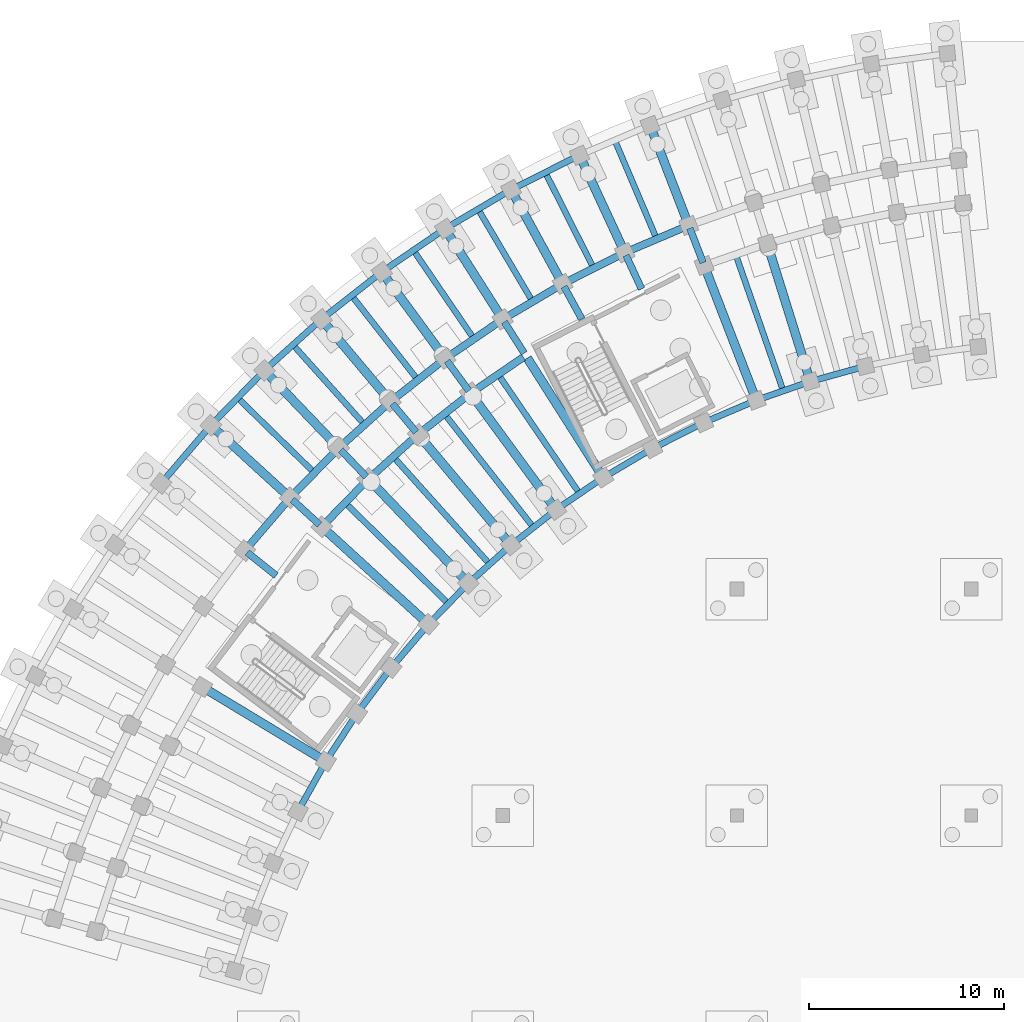
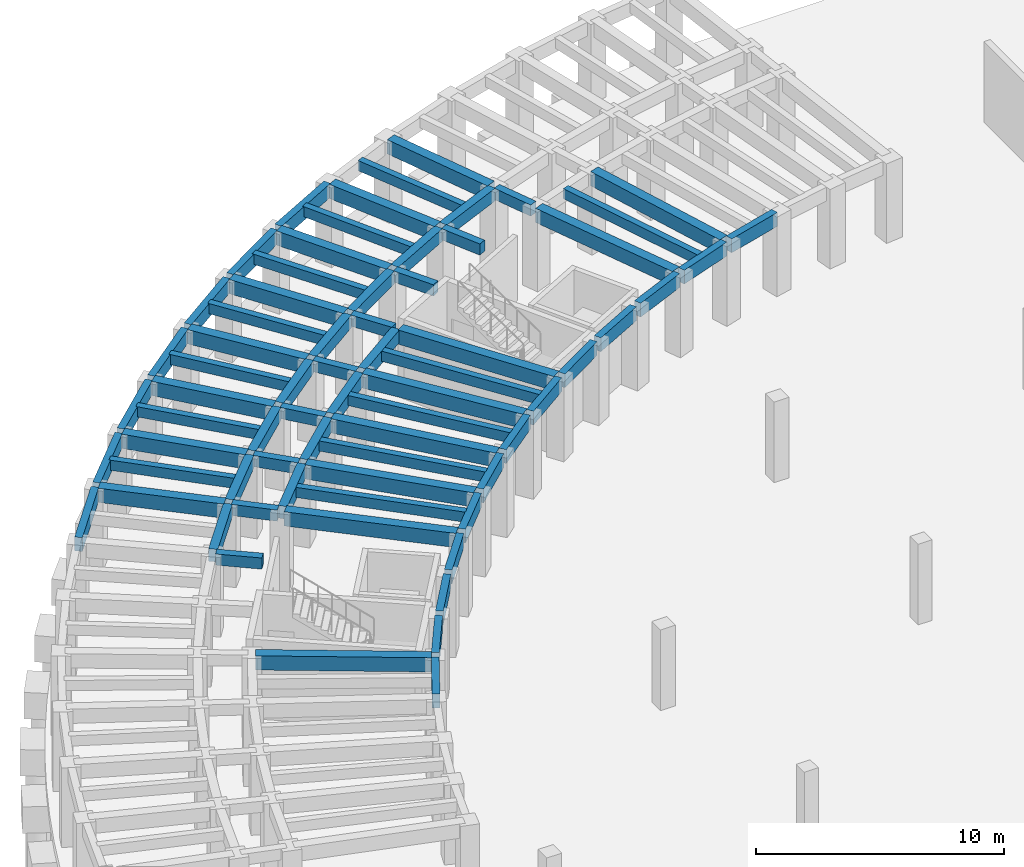
# One storey, part 12 of 29: 69 beams.
"""IFC4 building model written with IfcOpenShell, lengths in metres."""

from ifc_helpers import new_model, si_unit, direction, frame, origin, origin_2d, place, context, subcontext, project, spatial, rectangle, extrude, material, material_profile, profile_set, type_object, element, save


model = new_model("IFC4")

# Units and contexts
model_context = context("Model", 3, precision=1e-05, world=origin(), true_north=direction((0.0, 1.0)))
body_context = subcontext(model_context, "Body", "Model", "MODEL_VIEW")
ifc_project = project(units=[si_unit("LENGTHUNIT", "METRE"), si_unit("AREAUNIT", "SQUARE_METRE"), si_unit("VOLUMEUNIT", "CUBIC_METRE"), si_unit("PLANEANGLEUNIT", "RADIAN"), si_unit("MASSUNIT", "GRAM", prefix="KILO")], contexts=[model_context])

# Site, building, storey
site_placement = place(None, origin())
site = spatial("IfcSite", under=ifc_project, at=site_placement, CompositionType="ELEMENT")
building_placement = place(site_placement, origin())
building = spatial("IfcBuilding", under=site, at=building_placement, Name="Tanwirah Colonnade Gardens", CompositionType="ELEMENT")
storey_placement = place(building_placement, frame((0.0, 0.0, -4.199951171875)))
storey = spatial("IfcBuildingStorey", under=building, at=storey_placement, Name="B1", CompositionType="ELEMENT", Elevation=-4.199951171875)

# Beams
ifc_material_1 = material(Name="Precast concrete C40/50", Category="concrete")
ifc_material_profile_1 = material_profile(ifc_material_1, rectangle(XDim=0.35009765625, YDim=0.550048828125, at=origin_2d()), Name="PC-BM 350x550")
ifc_profile_set_1 = profile_set([ifc_material_profile_1], Name="Precast concrete C40/50")
beam_type_1 = type_object("IfcBeamType", Name="BM-PC350A", PredefinedType="BEAM", material=ifc_profile_set_1)
for number, where, z_axis, x_axis, name in (
    (1, (46.270751953125, 108.7099609375, 3.64501953125), (-0.360175656082, 0.932884503444, 0.0), (-0.932884503444, -0.360175656082, 0.0), "Block A B1 Corridor Tie Beam 4"),
    (2, (43.115234375, 107.37060546875, 3.64501953125), (-0.420858322681, 0.90712638162, 0.0), (-0.90712638162, -0.420858322681, 0.0), "Block A B1 Corridor Tie Beam 5"),
    (3, (40.054931640625, 105.826171875, 3.64501953125), (-0.479707235792, 0.877428611301, 0.0), (-0.877428611301, -0.479707235792, 0.0), "Block A B1 Corridor Tie Beam 6"),
    (4, (37.10302734375, 104.08349609375, 3.64501953125), (-0.536509579595, 0.843894229749, 0.0), (-0.843894229749, -0.536509579595, 0.0), "Block A B1 Corridor Tie Beam 7"),
):
    element("IfcBeam", number, at=place(storey_placement, frame(where, z_axis=z_axis, x_axis=x_axis)), inside=storey, type_object=beam_type_1, Name=name, PredefinedType="BEAM", context=body_context, shape_type="SweptSolid", body=[
        extrude(rectangle(XDim=0.35009765625, YDim=0.550048828125, at=origin_2d()), origin(), (0.0, 0.0, 1.0), 1.89990234375),
    ])
beam_1_placement = place(storey_placement, frame((34.272216796875, 102.14990234375, 3.64501953125), z_axis=(-0.590895676149, 0.806747977939, 0.0), x_axis=(-0.806747977939, -0.590895676149, 0.0)))
element("IfcBeam", 5, at=beam_1_placement, inside=storey, type_object=beam_type_1, Name="Block A B1 Corridor Tie Beam 8", PredefinedType="BEAM", context=body_context, shape_type="SweptSolid", body=[
    extrude(rectangle(XDim=0.35009765625, YDim=0.550048828125, at=origin_2d()), origin(), (0.0, 0.0, 1.0), 1.900146484375),
])
beam_2_placement = place(storey_placement, frame((31.574951171875, 100.034423828125, 3.64501953125), z_axis=(-0.642797194343, 0.766036400535, 0.0), x_axis=(-0.766036400535, -0.642797194343, 0.0)))
element("IfcBeam", 6, at=beam_2_placement, inside=storey, type_object=beam_type_1, Name="Block A B1 Corridor Tie Beam 9", PredefinedType="BEAM", context=body_context, shape_type="SweptSolid", body=[
    extrude(rectangle(XDim=0.35009765625, YDim=0.550048828125, at=origin_2d()), origin(), (0.0, 0.0, 1.0), 1.89990234375),
])
beam_3_placement = place(storey_placement, frame((29.023193359375, 97.74560546875, 3.64501953125), z_axis=(-0.691913735329, 0.721980181766, 0.0), x_axis=(-0.721980181766, -0.691913735329, 0.0)))
element("IfcBeam", 7, at=beam_3_placement, inside=storey, type_object=beam_type_1, Name="Block A B1 Corridor Tie Beam 10", PredefinedType="BEAM", context=body_context, shape_type="SweptSolid", body=[
    extrude(rectangle(XDim=0.35009765625, YDim=0.550048828125, at=origin_2d()), origin(), (0.0, 0.0, 1.0), 1.900146484375),
])
for number, where, z_axis, x_axis, name in (
    (8, (26.62744140625, 95.29345703125, 3.64501953125), (-0.737948361517, 0.674857181732, 0.0), (-0.674857181732, -0.737948361517, 0.0), "Block A B1 Corridor Tie Beam 11"),
    (9, (24.398681640625, 92.68896484375, 3.64501953125), (-0.78073089418, 0.624867402633, 0.0), (-0.624867402633, -0.78073089418, 0.0), "Block A B1 Corridor Tie Beam 12"),
):
    element("IfcBeam", number, at=place(storey_placement, frame(where, z_axis=z_axis, x_axis=x_axis)), inside=storey, type_object=beam_type_1, Name=name, PredefinedType="BEAM", context=body_context, shape_type="SweptSolid", body=[
        extrude(rectangle(XDim=0.35009765625, YDim=0.550048828125, at=origin_2d()), origin(), (0.0, 0.0, 1.0), 1.89990234375),
    ])
ifc_material_profile_2 = material_profile(ifc_material_1, rectangle(XDim=0.3798828125, YDim=0.6201171875, at=origin_2d()), Name="PC-BM 380x620")
ifc_profile_set_2 = profile_set([ifc_material_profile_2], Name="Precast concrete C40/50")
beam_type_2 = type_object("IfcBeamType", Name="BM-PC380", PredefinedType="BEAM", material=ifc_profile_set_2)
beam_4_placement = place(storey_placement, frame((45.394287109375, 110.563720703125, 3.60986328125), z_axis=(-0.920513294115, -0.390711242938, 0.0), x_axis=(0.390711242938, -0.920513294115, 0.0)))
element("IfcBeam", 10, at=beam_4_placement, inside=storey, type_object=beam_type_2, Name="Block A B1 Circumferential Beam 4-R2", PredefinedType="BEAM", context=body_context, shape_type="SweptSolid", body=[
    extrude(rectangle(XDim=0.3798828125, YDim=0.6201171875, at=origin_2d()), origin(), (0.0, 0.0, 1.0), 3.262939453125),
])
for number, where, z_axis, x_axis, name in (
    (11, (42.11865234375, 109.16259765625, 3.60986328125), (-0.89276014323, -0.450532270387, 0.0), (0.450532270387, -0.89276014323, 0.0), "Block A B1 Circumferential Beam 5-R2"),
    (12, (38.9423828125, 107.548583984375, 3.60986328125), (-0.861134978964, -0.508376384193, 0.0), (0.508376384193, -0.861134978964, 0.0), "Block A B1 Circumferential Beam 6-R2"),
):
    element("IfcBeam", number, at=place(storey_placement, frame(where, z_axis=z_axis, x_axis=x_axis)), inside=storey, type_object=beam_type_2, Name=name, PredefinedType="BEAM", context=body_context, shape_type="SweptSolid", body=[
        extrude(rectangle(XDim=0.3798828125, YDim=0.6201171875, at=origin_2d()), origin(), (0.0, 0.0, 1.0), 3.26318359375),
    ])
beam_5_placement = place(storey_placement, frame((37.0595703125, 103.872314453125, 3.60986328125), z_axis=(-0.825758291455, -0.564024152047, 0.0), x_axis=(0.564024152047, -0.825758291455, 0.0)))
element("IfcBeam", 13, at=beam_5_placement, inside=storey, type_object=beam_type_2, Name="Block A B1 Circumferential Beam 7-R1", PredefinedType="BEAM", context=body_context, shape_type="SweptSolid", body=[
    extrude(rectangle(XDim=0.3798828125, YDim=0.6201171875, at=origin_2d()), origin(), (0.0, 0.0, 1.0), 3.118408203125),
])
beam_6_placement = place(storey_placement, frame((35.87939453125, 105.728759765625, 3.60986328125), z_axis=(-0.825782284145, -0.563989024, 0.0), x_axis=(0.563989024, -0.825782284145, 0.0)))
element("IfcBeam", 14, at=beam_6_placement, inside=storey, type_object=beam_type_2, Name="Block A B1 Circumferential Beam 7-R2", PredefinedType="BEAM", context=body_context, shape_type="SweptSolid", body=[
    extrude(rectangle(XDim=0.3798828125, YDim=0.6201171875, at=origin_2d()), origin(), (0.0, 0.0, 1.0), 3.26318359375),
])
beam_7_placement = place(storey_placement, frame((34.242919921875, 101.9365234375, 3.60986328125), z_axis=(-0.78679899272, -0.617209320292, 0.0), x_axis=(0.617209320292, -0.78679899272, 0.0)))
element("IfcBeam", 15, at=beam_7_placement, inside=storey, type_object=beam_type_2, Name="Block A B1 Circumferential Beam 8-R1", PredefinedType="BEAM", context=body_context, shape_type="SweptSolid", body=[
    extrude(rectangle(XDim=0.3798828125, YDim=0.6201171875, at=origin_2d()), origin(), (0.0, 0.0, 1.0), 3.1181640625),
])
beam_8_placement = place(storey_placement, frame((32.94287109375, 103.711181640625, 3.60986328125), z_axis=(-0.786839882256, -0.617157192044, 0.0), x_axis=(0.617157192044, -0.786839882256, 0.0)))
element("IfcBeam", 16, at=beam_8_placement, inside=storey, type_object=beam_type_2, Name="Block A B1 Circumferential Beam 8-R2", PredefinedType="BEAM", context=body_context, shape_type="SweptSolid", body=[
    extrude(rectangle(XDim=0.3798828125, YDim=0.6201171875, at=origin_2d()), origin(), (0.0, 0.0, 1.0), 3.26318359375),
])
beam_9_placement = place(storey_placement, frame((31.559814453125, 99.8193359375, 3.60986328125), z_axis=(-0.744429866059, -0.667700662363, 0.0), x_axis=(0.667700662363, -0.744429866059, 0.0)))
element("IfcBeam", 17, at=beam_9_placement, inside=storey, type_object=beam_type_2, Name="Block A B1 Circumferential Beam 9-R1", PredefinedType="BEAM", context=body_context, shape_type="SweptSolid", body=[
    extrude(rectangle(XDim=0.3798828125, YDim=0.6201171875, at=origin_2d()), origin(), (0.0, 0.0, 1.0), 3.1181640625),
])
beam_10_placement = place(storey_placement, frame((30.145751953125, 101.504638671875, 3.60986328125), z_axis=(-0.744409136578, -0.667723773262, 0.0), x_axis=(0.667723773262, -0.744409136578, 0.0)))
element("IfcBeam", 18, at=beam_10_placement, inside=storey, type_object=beam_type_2, Name="Block A B1 Circumferential Beam 9-R2", PredefinedType="BEAM", context=body_context, shape_type="SweptSolid", body=[
    extrude(rectangle(XDim=0.3798828125, YDim=0.6201171875, at=origin_2d()), origin(), (0.0, 0.0, 1.0), 3.26318359375),
])
beam_11_placement = place(storey_placement, frame((29.02197265625, 97.52978515625, 3.60986328125), z_axis=(-0.698837366631, -0.715280598787, 0.0), x_axis=(0.715280598787, -0.698837366631, 0.0)))
element("IfcBeam", 19, at=beam_11_placement, inside=storey, type_object=beam_type_2, Name="Block A B1 Circumferential Beam 10-R1", PredefinedType="BEAM", context=body_context, shape_type="SweptSolid", body=[
    extrude(rectangle(XDim=0.3798828125, YDim=0.6201171875, at=origin_2d()), origin(), (0.0, 0.0, 1.0), 3.117919921875),
])
beam_12_placement = place(storey_placement, frame((27.5, 99.118408203125, 3.60986328125), z_axis=(-0.698829447339, -0.71528833594, 0.0), x_axis=(0.71528833594, -0.698829447339, 0.0)))
element("IfcBeam", 20, at=beam_12_placement, inside=storey, type_object=beam_type_2, Name="Block A B1 Circumferential Beam 10-R2", PredefinedType="BEAM", context=body_context, shape_type="SweptSolid", body=[
    extrude(rectangle(XDim=0.3798828125, YDim=0.6201171875, at=origin_2d()), origin(), (0.0, 0.0, 1.0), 3.263427734375),
])
beam_13_placement = place(storey_placement, frame((25.017333984375, 96.56298828125, 3.60986328125), z_axis=(-0.650218192342, -0.759747525398, 0.0), x_axis=(0.759747525398, -0.650218192342, 0.0)))
element("IfcBeam", 21, at=beam_13_placement, inside=storey, type_object=beam_type_2, Name="Block A B1 Circumferential Beam 11-R2", PredefinedType="BEAM", context=body_context, shape_type="SweptSolid", body=[
    extrude(rectangle(XDim=0.3798828125, YDim=0.6201171875, at=origin_2d()), origin(), (0.0, 0.0, 1.0), 3.26318359375),
])
ifc_material_2 = material(Name="Precast concrete C45/55", Category="concrete")
ifc_material_profile_3 = material_profile(ifc_material_2, rectangle(XDim=0.449951171875, YDim=0.699951171875, at=origin_2d()), Name="PC-BM 450x700")
ifc_profile_set_3 = profile_set([ifc_material_profile_3], Name="Precast concrete C45/55")
beam_type_3 = type_object("IfcBeamType", Name="BM-PC450", PredefinedType="BEAM", material=ifc_profile_set_3)
for number, where, z_axis, x_axis, name in (
    (22, (49.596923828125, 109.55224609375, 3.570068359375), (0.297951921971, -0.954580877765, 0.0), (0.954580877765, 0.297951921971, 0.0), "Block A B1 Inner Radial Precast Girder 3"),
    (23, (46.37890625, 108.43017578125, 3.570068359375), (0.360158550024, -0.93289110771, 0.0), (0.93289110771, 0.360158550024, 0.0), "Block A B1 Inner Radial Precast Girder 4"),
):
    element("IfcBeam", number, at=place(storey_placement, frame(where, z_axis=z_axis, x_axis=x_axis)), inside=storey, type_object=beam_type_3, Name=name, PredefinedType="BEAM", context=body_context, shape_type="SweptSolid", body=[
        extrude(rectangle(XDim=0.449951171875, YDim=0.699951171875, at=origin_2d()), origin(), (0.0, 0.0, 1.0), 7.10009765625),
    ])
for number, where, z_axis, x_axis, name in (
    (24, (45.478271484375, 110.76220703125, 3.570068359375), (-0.360152299809, 0.932893520688, 0.0), (-0.932893520688, -0.360152299809, 0.0), "Block A B1 Outer Radial Precast Girder 4"),
    (25, (42.189453125, 109.3662109375, 3.570068359375), (-0.420861611985, 0.907124855551, 0.0), (-0.907124855551, -0.420861611985, 0.0), "Block A B1 Outer Radial Precast Girder 5"),
    (26, (38.99951171875, 107.75634765625, 3.570068359375), (-0.479684149655, 0.877441232545, 0.0), (-0.877441232545, -0.479684149655, 0.0), "Block A B1 Outer Radial Precast Girder 6"),
):
    element("IfcBeam", number, at=place(storey_placement, frame(where, z_axis=z_axis, x_axis=x_axis)), inside=storey, type_object=beam_type_3, Name=name, PredefinedType="BEAM", context=body_context, shape_type="SweptSolid", body=[
        extrude(rectangle(XDim=0.449951171875, YDim=0.699951171875, at=origin_2d()), origin(), (0.0, 0.0, 1.0), 5.199951171875),
    ])
beam_14_placement = place(storey_placement, frame((37.263916015625, 103.830322265625, 3.570068359375), z_axis=(0.536477171385, -0.843914832541, 0.0), x_axis=(0.843914832541, 0.536477171385, 0.0)))
element("IfcBeam", 27, at=beam_14_placement, inside=storey, type_object=beam_type_3, Name="Block A B1 Inner Radial Precast Girder 7", PredefinedType="BEAM", context=body_context, shape_type="SweptSolid", body=[
    extrude(rectangle(XDim=0.449951171875, YDim=0.699951171875, at=origin_2d()), origin(), (0.0, 0.0, 1.0), 7.10009765625),
])
beam_15_placement = place(storey_placement, frame((35.922607421875, 105.93994140625, 3.570068359375), z_axis=(-0.536453149191, 0.843930102985, 0.0), x_axis=(-0.843930102985, -0.536453149191, 0.0)))
element("IfcBeam", 28, at=beam_15_placement, inside=storey, type_object=beam_type_3, Name="Block A B1 Outer Radial Precast Girder 7", PredefinedType="BEAM", context=body_context, shape_type="SweptSolid", body=[
    extrude(rectangle(XDim=0.449951171875, YDim=0.699951171875, at=origin_2d()), origin(), (0.0, 0.0, 1.0), 5.199951171875),
])
beam_16_placement = place(storey_placement, frame((34.449462890625, 101.907958984375, 3.570068359375), z_axis=(0.590922322036, -0.80672846071, 0.0), x_axis=(0.80672846071, 0.590922322036, 0.0)))
element("IfcBeam", 29, at=beam_16_placement, inside=storey, type_object=beam_type_3, Name="Block A B1 Inner Radial Precast Girder 8", PredefinedType="BEAM", context=body_context, shape_type="SweptSolid", body=[
    extrude(rectangle(XDim=0.449951171875, YDim=0.699951171875, at=origin_2d()), origin(), (0.0, 0.0, 1.0), 7.10009765625),
])
beam_17_placement = place(storey_placement, frame((32.97216796875, 103.9248046875, 3.570068359375), z_axis=(-0.590909677043, 0.806737722917, 0.0), x_axis=(-0.806737722917, -0.590909677043, 0.0)))
element("IfcBeam", 30, at=beam_17_placement, inside=storey, type_object=beam_type_3, Name="Block A B1 Outer Radial Precast Girder 8", PredefinedType="BEAM", context=body_context, shape_type="SweptSolid", body=[
    extrude(rectangle(XDim=0.449951171875, YDim=0.699951171875, at=origin_2d()), origin(), (0.0, 0.0, 1.0), 5.199951171875),
])
beam_18_placement = place(storey_placement, frame((31.767822265625, 99.804443359375, 3.570068359375), z_axis=(0.642798473853, -0.76603532687, 0.0), x_axis=(0.76603532687, 0.642798473853, 0.0)))
element("IfcBeam", 31, at=beam_18_placement, inside=storey, type_object=beam_type_3, Name="Block A B1 Inner Radial Precast Girder 9", PredefinedType="BEAM", context=body_context, shape_type="SweptSolid", body=[
    extrude(rectangle(XDim=0.449951171875, YDim=0.699951171875, at=origin_2d()), origin(), (0.0, 0.0, 1.0), 7.10009765625),
])
beam_19_placement = place(storey_placement, frame((30.160888671875, 101.7197265625, 3.570068359375), z_axis=(-0.642794509039, 0.766038653822, 0.0), x_axis=(-0.766038653822, -0.642794509039, 0.0)))
element("IfcBeam", 32, at=beam_19_placement, inside=storey, type_object=beam_type_3, Name="Block A B1 Outer Radial Precast Girder 9", PredefinedType="BEAM", context=body_context, shape_type="SweptSolid", body=[
    extrude(rectangle(XDim=0.449951171875, YDim=0.699951171875, at=origin_2d()), origin(), (0.0, 0.0, 1.0), 5.199951171875),
])
beam_20_placement = place(storey_placement, frame((29.230712890625, 97.52880859375, 3.570068359375), z_axis=(0.691867272012, -0.722024707278, 0.0), x_axis=(0.722024707278, 0.691867272012, 0.0)))
element("IfcBeam", 33, at=beam_20_placement, inside=storey, type_object=beam_type_3, Name="Block A B1 Inner Radial Precast Girder 10", PredefinedType="BEAM", context=body_context, shape_type="SweptSolid", body=[
    extrude(rectangle(XDim=0.449951171875, YDim=0.699951171875, at=origin_2d()), origin(), (0.0, 0.0, 1.0), 7.099853515625),
])
beam_21_placement = place(storey_placement, frame((27.5009765625, 99.333984375, 3.570068359375), z_axis=(-0.691874769894, 0.722017522491, 0.0), x_axis=(-0.722017522491, -0.691874769894, 0.0)))
element("IfcBeam", 34, at=beam_21_placement, inside=storey, type_object=beam_type_3, Name="Block A B1 Outer Radial Precast Girder 10", PredefinedType="BEAM", context=body_context, shape_type="SweptSolid", body=[
    extrude(rectangle(XDim=0.449951171875, YDim=0.699951171875, at=origin_2d()), origin(), (0.0, 0.0, 1.0), 5.199951171875),
])
beam_22_placement = place(storey_placement, frame((26.848876953125, 95.091064453125, 3.570068359375), z_axis=(0.737918718777, -0.674889594288, 0.0), x_axis=(0.674889594288, 0.737918718777, 0.0)))
element("IfcBeam", 35, at=beam_22_placement, inside=storey, type_object=beam_type_3, Name="Block A B1 Inner Radial Precast Girder 11", PredefinedType="BEAM", context=body_context, shape_type="SweptSolid", body=[
    extrude(rectangle(XDim=0.449951171875, YDim=0.699951171875, at=origin_2d()), origin(), (0.0, 0.0, 1.0), 7.10009765625),
])
beam_23_placement = place(storey_placement, frame((25.004150390625, 96.7783203125, 3.570068359375), z_axis=(-0.737952652624, 0.674852489427, 0.0), x_axis=(-0.674852489427, -0.737952652624, 0.0)))
element("IfcBeam", 36, at=beam_23_placement, inside=storey, type_object=beam_type_3, Name="Block A B1 Outer Radial Precast Girder 11", PredefinedType="BEAM", context=body_context, shape_type="SweptSolid", body=[
    extrude(rectangle(XDim=0.449951171875, YDim=0.699951171875, at=origin_2d()), origin(), (0.0, 0.0, 1.0), 5.199951171875),
])
beam_24_placement = place(storey_placement, frame((20.736083984375, 86.913330078125, 3.570068359375), z_axis=(0.856176383701, -0.516683655628, 0.0), x_axis=(0.516683655628, 0.856176383701, 0.0)))
element("IfcBeam", 37, at=beam_24_placement, inside=storey, type_object=beam_type_3, Name="Block A B1 Inner Radial Precast Girder 14", PredefinedType="BEAM", context=body_context, shape_type="SweptSolid", body=[
    extrude(rectangle(XDim=0.449951171875, YDim=0.699951171875, at=origin_2d()), origin(), (0.0, 0.0, 1.0), 7.10009765625),
])
ifc_material_profile_4 = material_profile(ifc_material_1, rectangle(XDim=0.300048828125, YDim=0.5, at=origin_2d()), Name="PC-JST 300x500")
ifc_profile_set_4 = profile_set([ifc_material_profile_4], Name="Precast concrete C40/50")
beam_type_4 = type_object("IfcBeamType", Name="JST-PC300", PredefinedType="JOIST", material=ifc_profile_set_4)
beam_25_placement = place(storey_placement, frame((50.326171875, 102.28515625, 3.669921875), z_axis=(-0.329250558112, 0.944242590642, 0.0), x_axis=(-0.944242590642, -0.329250558112, 0.0)))
element("IfcBeam", 38, at=beam_25_placement, inside=storey, type_object=beam_type_4, Name="Block A B1 Inner Precast Floor Joist 3", PredefinedType="JOIST", context=body_context, shape_type="SweptSolid", body=[
    extrude(rectangle(XDim=0.300048828125, YDim=0.5, at=origin_2d()), origin(), (0.0, 0.0, 1.0), 7.159912109375),
])
beam_26_placement = place(storey_placement, frame((43.833984375, 110.063720703125, 3.669921875), z_axis=(-0.390723870106, 0.92050793442, 0.0), x_axis=(-0.92050793442, -0.390723870106, 0.0)))
element("IfcBeam", 39, at=beam_26_placement, inside=storey, type_object=beam_type_4, Name="Block A B1 Precast Floor Joist 4", PredefinedType="JOIST", context=body_context, shape_type="SweptSolid", body=[
    extrude(rectangle(XDim=0.300048828125, YDim=0.5, at=origin_2d()), origin(), (0.0, 0.0, 1.0), 5.260009765625),
])
for number, where, z_axis, x_axis, name in (
    (40, (40.5947265625, 108.560791015625, 3.669921875), (-0.450533699488, 0.892759422031, 0.0), (-0.892759422031, -0.450533699488, 0.0), "Block A B1 Precast Floor Joist 5"),
    (41, (37.46142578125, 106.84765625, 3.669921875), (-0.508360236823, 0.86114451146, 0.0), (-0.86114451146, -0.508360236823, 0.0), "Block A B1 Precast Floor Joist 6"),
):
    element("IfcBeam", number, at=place(storey_placement, frame(where, z_axis=z_axis, x_axis=x_axis)), inside=storey, type_object=beam_type_4, Name=name, PredefinedType="JOIST", context=body_context, shape_type="SweptSolid", body=[
        extrude(rectangle(XDim=0.300048828125, YDim=0.5, at=origin_2d()), origin(), (0.0, 0.0, 1.0), 5.26025390625),
    ])
beam_27_placement = place(storey_placement, frame((34.44775390625, 104.931884765625, 3.669921875), z_axis=(-0.563973225998, 0.825793073571, 0.0), x_axis=(-0.825793073571, -0.563973225998, 0.0)))
element("IfcBeam", 42, at=beam_27_placement, inside=storey, type_object=beam_type_4, Name="Block A B1 Precast Floor Joist 7", PredefinedType="JOIST", context=body_context, shape_type="SweptSolid", body=[
    extrude(rectangle(XDim=0.300048828125, YDim=0.5, at=origin_2d()), origin(), (0.0, 0.0, 1.0), 5.260009765625),
])
beam_28_placement = place(storey_placement, frame((39.8623046875, 97.004638671875, 3.669921875), z_axis=(-0.564021195806, 0.825760310672, 0.0), x_axis=(-0.825760310672, -0.564021195806, 0.0)))
element("IfcBeam", 43, at=beam_28_placement, inside=storey, type_object=beam_type_4, Name="Block A B1 Inner Precast Floor Joist 7", PredefinedType="JOIST", context=body_context, shape_type="SweptSolid", body=[
    extrude(rectangle(XDim=0.300048828125, YDim=0.5, at=origin_2d()), origin(), (0.0, 0.0, 1.0), 7.159912109375),
])
beam_29_placement = place(storey_placement, frame((31.56689453125, 102.82177734375, 3.669921875), z_axis=(-0.617177687243, 0.786823806433, 0.0), x_axis=(-0.786823806433, -0.617177687243, 0.0)))
element("IfcBeam", 44, at=beam_29_placement, inside=storey, type_object=beam_type_4, Name="Block A B1 Precast Floor Joist 8", PredefinedType="JOIST", context=body_context, shape_type="SweptSolid", body=[
    extrude(rectangle(XDim=0.300048828125, YDim=0.5, at=origin_2d()), origin(), (0.0, 0.0, 1.0), 5.260009765625),
])
beam_30_placement = place(storey_placement, frame((37.491943359375, 95.268310546875, 3.669921875), z_axis=(-0.617202438917, 0.786804390808, 0.0), x_axis=(-0.786804390808, -0.617202438917, 0.0)))
element("IfcBeam", 45, at=beam_30_placement, inside=storey, type_object=beam_type_4, Name="Block A B1 Inner Precast Floor Joist 8", PredefinedType="JOIST", context=body_context, shape_type="SweptSolid", body=[
    extrude(rectangle(XDim=0.300048828125, YDim=0.5, at=origin_2d()), origin(), (0.0, 0.0, 1.0), 7.159912109375),
])
beam_31_placement = place(storey_placement, frame((28.831298828125, 100.5263671875, 3.669921875), z_axis=(-0.667678987176, 0.744449306591, 0.0), x_axis=(-0.744449306591, -0.667678987176, 0.0)))
element("IfcBeam", 46, at=beam_31_placement, inside=storey, type_object=beam_type_4, Name="Block A B1 Precast Floor Joist 9", PredefinedType="JOIST", context=body_context, shape_type="SweptSolid", body=[
    extrude(rectangle(XDim=0.300048828125, YDim=0.5, at=origin_2d()), origin(), (0.0, 0.0, 1.0), 5.260009765625),
])
beam_32_placement = place(storey_placement, frame((35.2412109375, 93.379638671875, 3.669921875), z_axis=(-0.667688404274, 0.744440860511, 0.0), x_axis=(-0.744440860511, -0.667688404274, 0.0)))
element("IfcBeam", 47, at=beam_32_placement, inside=storey, type_object=beam_type_4, Name="Block A B1 Inner Precast Floor Joist 9", PredefinedType="JOIST", context=body_context, shape_type="SweptSolid", body=[
    extrude(rectangle(XDim=0.300048828125, YDim=0.5, at=origin_2d()), origin(), (0.0, 0.0, 1.0), 7.16015625),
])
beam_33_placement = place(storey_placement, frame((26.2529296875, 98.0556640625, 3.669921875), z_axis=(-0.715297399369, 0.698820170327, 0.0), x_axis=(-0.698820170327, -0.715297399369, 0.0)))
element("IfcBeam", 48, at=beam_33_placement, inside=storey, type_object=beam_type_4, Name="Block A B1 Precast Floor Joist 10", PredefinedType="JOIST", context=body_context, shape_type="SweptSolid", body=[
    extrude(rectangle(XDim=0.300048828125, YDim=0.5, at=origin_2d()), origin(), (0.0, 0.0, 1.0), 5.260009765625),
])
beam_34_placement = place(storey_placement, frame((33.11962890625, 91.346923828125, 3.669921875), z_axis=(-0.715276680509, 0.698841377081, 0.0), x_axis=(-0.698841377081, -0.715276680509, 0.0)))
element("IfcBeam", 49, at=beam_34_placement, inside=storey, type_object=beam_type_4, Name="Block A B1 Inner Precast Floor Joist 10", PredefinedType="JOIST", context=body_context, shape_type="SweptSolid", body=[
    extrude(rectangle(XDim=0.300048828125, YDim=0.5, at=origin_2d()), origin(), (0.0, 0.0, 1.0), 7.159912109375),
])
ifc_material_profile_5 = material_profile(ifc_material_2, rectangle(XDim=0.320068359375, YDim=0.679931640625, at=origin_2d()), Name="PC-SP 320x680")
ifc_profile_set_5 = profile_set([ifc_material_profile_5], Name="Precast concrete C45/55")
beam_type_5 = type_object("IfcBeamType", Name="SP-PC320", PredefinedType="SPANDREL", material=ifc_profile_set_5)
beam_35_placement = place(storey_placement, frame((54.436767578125, 103.371826171875, 3.579833984375), z_axis=(-0.96388669146, -0.266312684688, 0.0), x_axis=(0.266312684688, -0.96388669146, 0.0)))
element("IfcBeam", 50, at=beam_35_placement, inside=storey, type_object=beam_type_5, Name="Block A B1 Circumferential Beam 2-R0", PredefinedType="SPANDREL", context=body_context, shape_type="SweptSolid", body=[
    extrude(rectangle(XDim=0.320068359375, YDim=0.679931640625, at=origin_2d()), origin(), (0.0, 0.0, 1.0), 2.630126953125),
])
for number, where, z_axis, x_axis, name in (
    (51, (51.615478515625, 102.58203125, 3.579833984375), (-0.944249847334, -0.32922974624, 0.0), (0.32922974624, -0.944249847334, 0.0), "Block A B1 Circumferential Beam 3-R0"),
    (52, (48.85205078125, 101.608154296875, 3.579833984375), (-0.920488719784, -0.390769134848, 0.0), (0.390769134848, -0.920488719784, 0.0), "Block A B1 Circumferential Beam 4-R0"),
    (53, (46.158935546875, 100.4541015625, 3.579833984375), (-0.892769015158, -0.450514689632, 0.0), (0.450514689632, -0.892769015158, 0.0), "Block A B1 Circumferential Beam 5-R0"),
):
    element("IfcBeam", number, at=place(storey_placement, frame(where, z_axis=z_axis, x_axis=x_axis)), inside=storey, type_object=beam_type_5, Name=name, PredefinedType="SPANDREL", context=body_context, shape_type="SweptSolid", body=[
        extrude(rectangle(XDim=0.320068359375, YDim=0.679931640625, at=origin_2d()), origin(), (0.0, 0.0, 1.0), 2.63037109375),
    ])
beam_36_placement = place(storey_placement, frame((39.803955078125, 114.15185546875, 3.579833984375), z_axis=(-0.892764670911, -0.450523298368, 0.0), x_axis=(0.450523298368, -0.892764670911, 0.0)))
element("IfcBeam", 54, at=beam_36_placement, inside=storey, type_object=beam_type_5, Name="Block A B1 Circumferential Beam 5-R3", PredefinedType="SPANDREL", context=body_context, shape_type="SweptSolid", body=[
    extrude(rectangle(XDim=0.320068359375, YDim=0.679931640625, at=origin_2d()), origin(), (0.0, 0.0, 1.0), 3.6259765625),
])
beam_37_placement = place(storey_placement, frame((43.547607421875, 99.125244140625, 3.579833984375), z_axis=(-0.861148181788, -0.508354019363, 0.0), x_axis=(0.508354019363, -0.861148181788, 0.0)))
element("IfcBeam", 55, at=beam_37_placement, inside=storey, type_object=beam_type_5, Name="Block A B1 Circumferential Beam 6-R0", PredefinedType="SPANDREL", context=body_context, shape_type="SweptSolid", body=[
    extrude(rectangle(XDim=0.320068359375, YDim=0.679931640625, at=origin_2d()), origin(), (0.0, 0.0, 1.0), 2.63037109375),
])
beam_38_placement = place(storey_placement, frame((36.303955078125, 112.37451171875, 3.579833984375), z_axis=(-0.861136912545, -0.5083731089, 0.0), x_axis=(0.5083731089, -0.861136912545, 0.0)))
element("IfcBeam", 56, at=beam_38_placement, inside=storey, type_object=beam_type_5, Name="Block A B1 Circumferential Beam 6-R3", PredefinedType="SPANDREL", context=body_context, shape_type="SweptSolid", body=[
    extrude(rectangle(XDim=0.320068359375, YDim=0.679931640625, at=origin_2d()), origin(), (0.0, 0.0, 1.0), 3.625732421875),
])
beam_39_placement = place(storey_placement, frame((41.029541015625, 97.627197265625, 3.579833984375), z_axis=(-0.825800981874, -0.563961646158, 0.0), x_axis=(0.563961646158, -0.825800981874, 0.0)))
element("IfcBeam", 57, at=beam_39_placement, inside=storey, type_object=beam_type_5, Name="Block A B1 Circumferential Beam 7-R0", PredefinedType="SPANDREL", context=body_context, shape_type="SweptSolid", body=[
    extrude(rectangle(XDim=0.320068359375, YDim=0.679931640625, at=origin_2d()), origin(), (0.0, 0.0, 1.0), 2.63037109375),
])
beam_40_placement = place(storey_placement, frame((32.9287109375, 110.370361328125, 3.579833984375), z_axis=(-0.825782625102, -0.563988524776, 0.0), x_axis=(0.563988524776, -0.825782625102, 0.0)))
element("IfcBeam", 58, at=beam_40_placement, inside=storey, type_object=beam_type_5, Name="Block A B1 Circumferential Beam 7-R3", PredefinedType="SPANDREL", context=body_context, shape_type="SweptSolid", body=[
    extrude(rectangle(XDim=0.320068359375, YDim=0.679931640625, at=origin_2d()), origin(), (0.0, 0.0, 1.0), 3.625732421875),
])
beam_41_placement = place(storey_placement, frame((38.61572265625, 95.966552734375, 3.579833984375), z_axis=(-0.786836625031, -0.617161344795, 0.0), x_axis=(0.617161344795, -0.786836625031, 0.0)))
element("IfcBeam", 59, at=beam_41_placement, inside=storey, type_object=beam_type_5, Name="Block A B1 Circumferential Beam 8-R0", PredefinedType="SPANDREL", context=body_context, shape_type="SweptSolid", body=[
    extrude(rectangle(XDim=0.320068359375, YDim=0.679931640625, at=origin_2d()), origin(), (0.0, 0.0, 1.0), 2.63037109375),
])
beam_42_placement = place(storey_placement, frame((29.69287109375, 108.148193359375, 3.579833984375), z_axis=(-0.786843799845, -0.617152197311, 0.0), x_axis=(0.617152197311, -0.786843799845, 0.0)))
element("IfcBeam", 60, at=beam_42_placement, inside=storey, type_object=beam_type_5, Name="Block A B1 Circumferential Beam 8-R3", PredefinedType="SPANDREL", context=body_context, shape_type="SweptSolid", body=[
    extrude(rectangle(XDim=0.320068359375, YDim=0.679931640625, at=origin_2d()), origin(), (0.0, 0.0, 1.0), 3.62548828125),
])
beam_43_placement = place(storey_placement, frame((36.31640625, 94.150634765625, 3.579833984375), z_axis=(-0.744400790288, -0.667733077972, 0.0), x_axis=(0.667733077972, -0.744400790288, 0.0)))
element("IfcBeam", 61, at=beam_43_placement, inside=storey, type_object=beam_type_5, Name="Block A B1 Circumferential Beam 9-R0", PredefinedType="SPANDREL", context=body_context, shape_type="SweptSolid", body=[
    extrude(rectangle(XDim=0.320068359375, YDim=0.679931640625, at=origin_2d()), origin(), (0.0, 0.0, 1.0), 2.63037109375),
])
beam_44_placement = place(storey_placement, frame((26.6103515625, 105.7177734375, 3.579833984375), z_axis=(-0.744444790955, -0.667684021989, 0.0), x_axis=(0.667684021989, -0.744444790955, 0.0)))
element("IfcBeam", 62, at=beam_44_placement, inside=storey, type_object=beam_type_5, Name="Block A B1 Circumferential Beam 9-R3", PredefinedType="SPANDREL", context=body_context, shape_type="SweptSolid", body=[
    extrude(rectangle(XDim=0.320068359375, YDim=0.679931640625, at=origin_2d()), origin(), (0.0, 0.0, 1.0), 3.625732421875),
])
beam_45_placement = place(storey_placement, frame((34.141845703125, 92.186767578125, 3.579833984375), z_axis=(-0.698844462704, -0.715273665772, 0.0), x_axis=(0.715273665772, -0.698844462704, 0.0)))
element("IfcBeam", 63, at=beam_45_placement, inside=storey, type_object=beam_type_5, Name="Block A B1 Circumferential Beam 10-R0", PredefinedType="SPANDREL", context=body_context, shape_type="SweptSolid", body=[
    extrude(rectangle(XDim=0.320068359375, YDim=0.679931640625, at=origin_2d()), origin(), (0.0, 0.0, 1.0), 2.630126953125),
])
beam_46_placement = place(storey_placement, frame((23.69482421875, 103.089599609375, 3.579833984375), z_axis=(-0.698844493997, -0.715273635199, 0.0), x_axis=(0.715273635199, -0.698844493997, 0.0)))
element("IfcBeam", 64, at=beam_46_placement, inside=storey, type_object=beam_type_5, Name="Block A B1 Circumferential Beam 10-R3", PredefinedType="SPANDREL", context=body_context, shape_type="SweptSolid", body=[
    extrude(rectangle(XDim=0.320068359375, YDim=0.679931640625, at=origin_2d()), origin(), (0.0, 0.0, 1.0), 3.6259765625),
])
beam_47_placement = place(storey_placement, frame((32.101318359375, 90.084228515625, 3.579833984375), z_axis=(-0.650172023628, -0.759787035749, 0.0), x_axis=(0.759787035749, -0.650172023628, 0.0)))
element("IfcBeam", 65, at=beam_47_placement, inside=storey, type_object=beam_type_5, Name="Block A B1 Circumferential Beam 11-R0", PredefinedType="SPANDREL", context=body_context, shape_type="SweptSolid", body=[
    extrude(rectangle(XDim=0.320068359375, YDim=0.679931640625, at=origin_2d()), origin(), (0.0, 0.0, 1.0), 2.63037109375),
])
beam_48_placement = place(storey_placement, frame((20.95849609375, 100.27490234375, 3.579833984375), z_axis=(-0.65013123267, -0.75982193987, 0.0), x_axis=(0.75982193987, -0.65013123267, 0.0)))
element("IfcBeam", 66, at=beam_48_placement, inside=storey, type_object=beam_type_5, Name="Block A B1 Circumferential Beam 11-R3", PredefinedType="SPANDREL", context=body_context, shape_type="SweptSolid", body=[
    extrude(rectangle(XDim=0.320068359375, YDim=0.679931640625, at=origin_2d()), origin(), (0.0, 0.0, 1.0), 3.625732421875),
])
for number, where, z_axis, x_axis, name in (
    (67, (30.203857421875, 87.851806640625, 3.579833984375), (-0.598662613551, -0.80100129534, 0.0), (0.80100129534, -0.598662613551, 0.0), "Block A B1 Circumferential Beam 12-R0"),
    (68, (28.45751953125, 85.4990234375, 3.579833984375), (-0.544570677829, -0.838714955661, 0.0), (0.838714955661, -0.544570677829, 0.0), "Block A B1 Circumferential Beam 13-R0"),
):
    element("IfcBeam", number, at=place(storey_placement, frame(where, z_axis=z_axis, x_axis=x_axis)), inside=storey, type_object=beam_type_5, Name=name, PredefinedType="SPANDREL", context=body_context, shape_type="SweptSolid", body=[
        extrude(rectangle(XDim=0.320068359375, YDim=0.679931640625, at=origin_2d()), origin(), (0.0, 0.0, 1.0), 2.63037109375),
    ])
beam_49_placement = place(storey_placement, frame((26.8701171875, 83.036376953125, 3.579833984375), z_axis=(-0.488170837957, -0.872748092503, 0.0), x_axis=(0.872748092503, -0.488170837957, 0.0)))
element("IfcBeam", 69, at=beam_49_placement, inside=storey, type_object=beam_type_5, Name="Block A B1 Circumferential Beam 14-R0", PredefinedType="SPANDREL", context=body_context, shape_type="SweptSolid", body=[
    extrude(rectangle(XDim=0.320068359375, YDim=0.679931640625, at=origin_2d()), origin(), (0.0, 0.0, 1.0), 2.630126953125),
])

save(model, "model.ifc")
